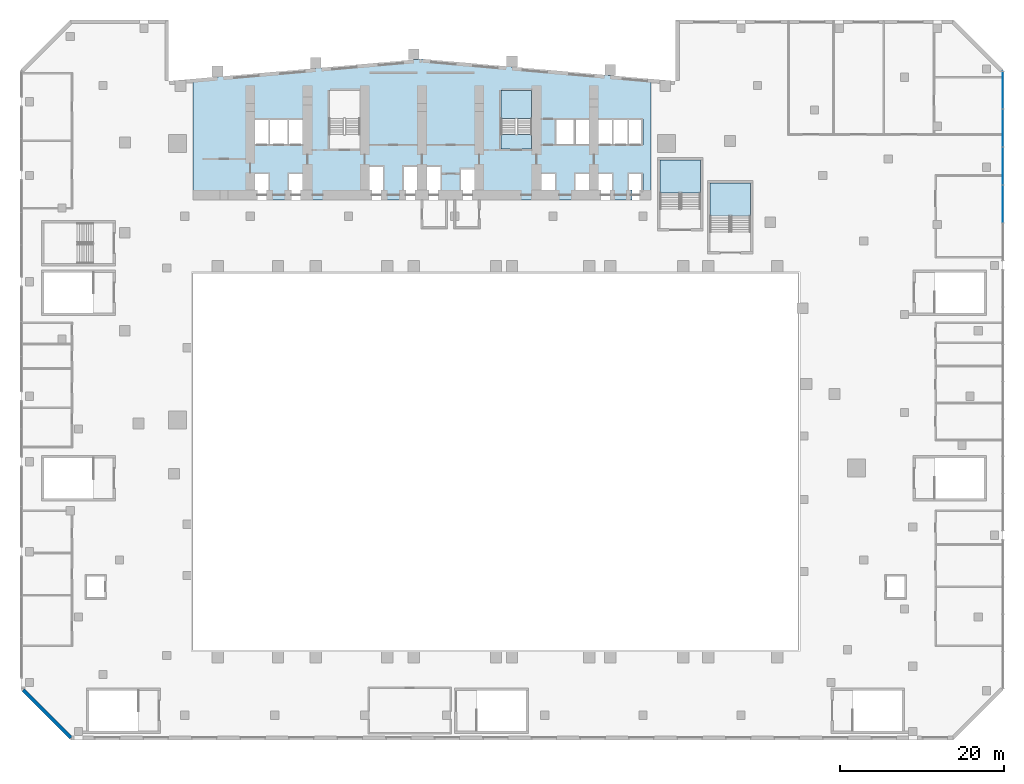
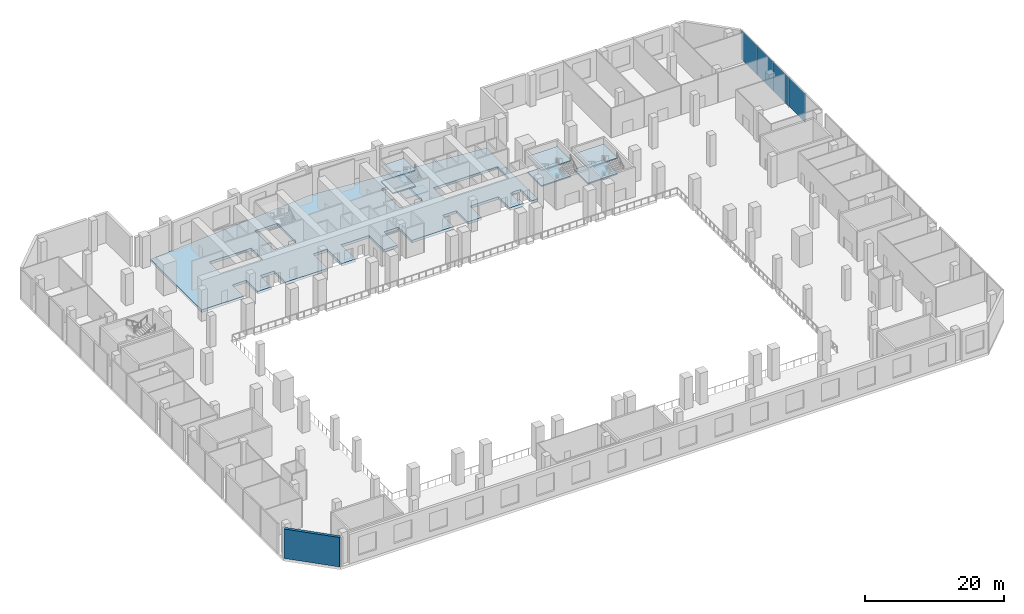
# One storey, part 9 of 25: 8 slabs, 4 plates, 1 wall, 4 elements without a shape of their own.
"""IFC4 building model written with IfcOpenShell, lengths in metres."""

from ifc_helpers import new_model, si_unit, direction, frame, frame_2d, origin, origin_2d, place, context, subcontext, project, spatial, polyline, rectangle, outline, extrude, material, layer, layer_set, type_object, element, aggregate, save


model = new_model("IFC4")

# Units and contexts
model_context = context("Model", 3, precision=1e-05, world=origin(), true_north=direction((0.0, 1.0)))
body_context = subcontext(model_context, "Body", "Model", "MODEL_VIEW")
ifc_project = project(units=[si_unit("LENGTHUNIT", "METRE"), si_unit("AREAUNIT", "SQUARE_METRE"), si_unit("VOLUMEUNIT", "CUBIC_METRE"), si_unit("PLANEANGLEUNIT", "RADIAN"), si_unit("MASSUNIT", "GRAM", prefix="KILO")], contexts=[model_context])

# Site, building, storey
site_placement = place(None, origin())
site = spatial("IfcSite", under=ifc_project, at=site_placement, CompositionType="ELEMENT")
building_placement = place(site_placement, origin())
building = spatial("IfcBuilding", under=site, at=building_placement, Name="Wharfspan Tower", CompositionType="ELEMENT")
storey_placement = place(building_placement, frame((0.0, 0.0, 27.5)))
storey = spatial("IfcBuildingStorey", under=building, at=storey_placement, Name="L04", CompositionType="ELEMENT", Elevation=27.5)

# Curtain wall, plates
ifc_material_1 = material(Name="Aluminium 6063-T6", Category="aluminium")
curtain_wall_type = type_object("IfcCurtainWallType", Name="CURTAIN WALL ARENA STICK WALL", PredefinedType="NOTDEFINED", material=ifc_material_1)
curtain_wall_placement = place(storey_placement, origin())
curtain_wall = element("IfcCurtainWall", 1, at=curtain_wall_placement, inside=storey, type_object=curtain_wall_type, Name="Concourse stick wall PF3.3", PredefinedType="NOTDEFINED")
ifc_material_2 = material(Name="Glass clear laminated double glazing", Category="glass")
ifc_layer_1 = layer(ifc_material_2, 0.040039)
ifc_layer_set_1 = layer_set([ifc_layer_1], Name="Glass clear laminated double glazing")
plate_type = type_object("IfcPlateType", Name="GLASS PANEL ARENA STICK WALL 40", PredefinedType="CURTAIN_PANEL", material=ifc_layer_set_1)
plate_1_placement = place(storey_placement, frame((108.0, 33.51001, 0.0), z_axis=(0.0, 0.0, 1.0), x_axis=(0.0, 1.0, 0.0)))
plate_1 = element("IfcPlate", 2, at=plate_1_placement, type_object=plate_type, Name="Concourse stick wall PF3.3 panel 2", PredefinedType="CURTAIN_PANEL", context=body_context, shape_type="SweptSolid", body=[
    extrude(rectangle(XDim=4.570068, YDim=0.040039, at=origin_2d()), origin(), (0.0, 0.0, 1.0), 5.110107),
])
plate_2_placement = place(storey_placement, frame((108.0, 38.149902, 0.0), z_axis=(0.0, 0.0, 1.0), x_axis=(0.0, 1.0, 0.0)))
plate_2 = element("IfcPlate", 3, at=plate_2_placement, type_object=plate_type, Name="Concourse stick wall PF3.3 panel 3", PredefinedType="CURTAIN_PANEL", context=body_context, shape_type="SweptSolid", body=[
    extrude(rectangle(XDim=4.570068, YDim=0.040039, at=origin_2d()), origin(), (0.0, 0.0, 1.0), 5.110107),
])
plate_3_placement = place(storey_placement, frame((108.0, 42.790039, 0.0), z_axis=(0.0, 0.0, 1.0), x_axis=(0.0, 1.0, 0.0)))
plate_3 = element("IfcPlate", 4, at=plate_3_placement, type_object=plate_type, Name="Concourse stick wall PF3.3 panel 4", PredefinedType="CURTAIN_PANEL", context=body_context, shape_type="SweptSolid", body=[
    extrude(rectangle(XDim=4.570068, YDim=0.040039, at=origin_2d()), origin(), (0.0, 0.0, 1.0), 5.110107),
])
plate_4_placement = place(storey_placement, frame((108.0, 47.412598, 0.0), z_axis=(0.0, 0.0, 1.0), x_axis=(0.0, 1.0, 0.0)))
plate_4 = element("IfcPlate", 5, at=plate_4_placement, type_object=plate_type, Name="Concourse stick wall PF3.3 panel 5", PredefinedType="CURTAIN_PANEL", context=body_context, shape_type="SweptSolid", body=[
    extrude(rectangle(XDim=4.534912, YDim=0.040039, at=origin_2d()), origin(), (0.0, 0.0, 1.0), 5.110107),
])
aggregate(curtain_wall, [plate_1, plate_2, plate_3, plate_4])

# Slab
ifc_material_3 = material(Name="Concrete C35/45", Category="concrete")
ifc_layer_2 = layer(ifc_material_3, 0.449951)
ifc_layer_set_2 = layer_set([ifc_layer_2], Name="Concrete C35/45")
slab_type_1 = type_object("IfcSlabType", Name="Podium deck 450", PredefinedType="FLOOR", material=ifc_layer_set_2)
slab_1_placement = place(storey_placement, frame((0.0, 0.0, -0.450195)))
element("IfcSlab", 6, at=slab_1_placement, inside=storey, type_object=slab_type_1, Name="Core floor L04", PredefinedType="FLOOR", context=body_context, shape_type="SweptSolid", body=[
    extrude(outline(polyline([(65.0, 48.787354), (65.0, 34.0), (64.01001, 34.0), (64.01001, 37.26001), (62.656738, 37.26001), (62.656738, 37.159912), (62.290039, 37.159912), (62.290039, 35.189941), (62.656738, 35.189941), (62.656738, 34.0), (60.343262, 34.0), (60.343262, 37.26001), (55.656738, 37.26001), (55.656738, 34.0), (53.343262, 34.0), (53.343262, 37.26001), (50.98999, 37.26001), (50.98999, 34.0), (44.01001, 34.0), (44.01001, 37.860107), (41.656738, 37.860107), (41.656738, 34.0), (39.343262, 34.0), (39.343262, 38.159912), (34.656738, 38.159912), (34.656738, 34.0), (32.343262, 34.0), (32.343262, 38.159912), (29.98999, 38.159912), (29.98999, 34.0), (23.01001, 34.0), (23.01001, 37.26001), (20.656738, 37.26001), (20.656738, 34.0), (18.343262, 34.0), (18.343262, 37.26001), (15.98999, 37.26001), (15.98999, 34.0), (9.0, 34.0), (9.0, 48.787354), (37.0, 51.237061), (65.0, 48.787354)]), holes=[polyline([(53.323242, 43.909912), (53.323242, 40.689941), (64.01001, 40.689941), (64.01001, 43.909912), (53.323242, 43.909912)]), polyline([(50.409912, 41.98999), (50.409912, 47.409912), (46.639893, 47.409912), (46.639893, 41.98999), (50.409912, 41.98999)]), polyline([(29.409912, 41.98999), (29.409912, 47.409912), (25.639893, 47.409912), (25.639893, 41.98999), (29.409912, 41.98999)]), polyline([(20.676758, 40.689941), (23.01001, 40.689941), (23.01001, 43.909912), (20.676758, 43.909912), (20.656738, 43.909912), (15.98999, 43.909912), (15.98999, 40.689941), (20.656738, 40.689941), (20.676758, 40.689941)])]), origin(), (0.0, 0.0, 1.0), 0.450195),
])

# Stair, slabs
ifc_material_4 = material(Name="Concrete C40/50", Category="concrete")
stair_type_1 = type_object("IfcStairType", Name="Half-turn stair 2400 wide 32 risers 172 mm", PredefinedType="HALF_TURN_STAIR", material=ifc_material_4)
stair_1_placement = place(storey_placement, origin())
stair_1 = element("IfcStair", 7, at=stair_1_placement, inside=storey, type_object=stair_type_1, Name="L04 stair PS4", PredefinedType="HALF_TURN_STAIR")
ifc_layer_3 = layer(ifc_material_4, 0.199951)
ifc_layer_set_3 = layer_set([ifc_layer_3], Name="Concrete C40/50")
slab_type_2 = type_object("IfcSlabType", Name="Podium stair landing 200", PredefinedType="LANDING", material=ifc_layer_set_3)
slab_2_placement = place(storey_placement, frame((0.0, 0.0, 1.174805)))
slab_2 = element("IfcSlab", 8, at=slab_2_placement, type_object=slab_type_2, Name="PS4 landing 1", PredefinedType="LANDING", context=body_context, shape_type="SweptSolid", body=[
    extrude(outline(polyline([(71.050049, 34.860107), (71.050049, 38.899902), (66.100098, 38.899902), (66.100098, 34.860107), (71.050049, 34.860107)])), origin(), (0.0, 0.0, 1.0), 0.200195),
])
slab_3_placement = place(storey_placement, frame((0.0, 0.0, 3.924805)))
slab_3 = element("IfcSlab", 9, at=slab_3_placement, type_object=slab_type_2, Name="PS4 landing 3", PredefinedType="LANDING", context=body_context, shape_type="SweptSolid", body=[
    extrude(outline(polyline([(71.050049, 34.860107), (71.050049, 38.899902), (66.100098, 38.899902), (66.100098, 34.860107), (71.050049, 34.860107)])), origin(), (0.0, 0.0, 1.0), 0.200195),
])
aggregate(stair_1, [slab_2, slab_3])

stair_2_placement = place(storey_placement, origin())
stair_2 = element("IfcStair", 10, at=stair_2_placement, inside=storey, type_object=stair_type_1, Name="L04 stair PS5", PredefinedType="HALF_TURN_STAIR")
slab_4_placement = place(storey_placement, frame((0.0, 0.0, 1.174805)))
slab_4 = element("IfcSlab", 11, at=slab_4_placement, type_object=slab_type_2, Name="PS5 landing 1", PredefinedType="LANDING", context=body_context, shape_type="SweptSolid", body=[
    extrude(outline(polyline([(77.16748, 32.060059), (77.16748, 36.100098), (72.217529, 36.100098), (72.217529, 32.060059), (77.16748, 32.060059)])), origin(), (0.0, 0.0, 1.0), 0.200195),
])
slab_5_placement = place(storey_placement, frame((0.0, 0.0, 3.924805)))
slab_5 = element("IfcSlab", 12, at=slab_5_placement, type_object=slab_type_2, Name="PS5 landing 3", PredefinedType="LANDING", context=body_context, shape_type="SweptSolid", body=[
    extrude(outline(polyline([(77.16748, 32.060059), (77.16748, 36.100098), (72.217529, 36.100098), (72.217529, 32.060059), (77.16748, 32.060059)])), origin(), (0.0, 0.0, 1.0), 0.200195),
])
aggregate(stair_2, [slab_4, slab_5])

stair_type_2 = type_object("IfcStairType", Name="Half-turn stair 32 risers 172 mm", PredefinedType="HALF_TURN_STAIR", material=ifc_material_4)
stair_3_placement = place(storey_placement, origin())
stair_3 = element("IfcStair", 13, at=stair_3_placement, inside=storey, type_object=stair_type_2, Name="L04 stair ST2", PredefinedType="HALF_TURN_STAIR")
ifc_layer_4 = layer(ifc_material_4, 0.199951)
ifc_layer_set_4 = layer_set([ifc_layer_4], Name="Concrete C40/50")
slab_type_3 = type_object("IfcSlabType", Name="Stair landing 200", PredefinedType="LANDING", material=ifc_layer_set_4)
slab_6_placement = place(storey_placement, frame((0.0, 0.0, 1.174805)))
slab_6 = element("IfcSlab", 14, at=slab_6_placement, type_object=slab_type_3, Name="ST2 landing 1", PredefinedType="LANDING", context=body_context, shape_type="SweptSolid", body=[
    extrude(outline(polyline([(50.399902, 43.959961), (50.399902, 47.399902), (46.649902, 47.399902), (46.649902, 43.959961), (50.399902, 43.959961)])), origin(), (0.0, 0.0, 1.0), 0.200195),
])
slab_7_placement = place(storey_placement, frame((0.0, 0.0, 2.549805)))
slab_7 = element("IfcSlab", 15, at=slab_7_placement, type_object=slab_type_3, Name="ST2 landing 2", PredefinedType="LANDING", context=body_context, shape_type="SweptSolid", body=[
    extrude(outline(polyline([(50.399902, 40.199951), (50.399902, 42.0), (46.649902, 42.0), (46.649902, 40.199951), (50.399902, 40.199951)])), origin(), (0.0, 0.0, 1.0), 0.200195),
])
slab_8_placement = place(storey_placement, frame((0.0, 0.0, 3.924805)))
slab_8 = element("IfcSlab", 16, at=slab_8_placement, type_object=slab_type_3, Name="ST2 landing 3", PredefinedType="LANDING", context=body_context, shape_type="SweptSolid", body=[
    extrude(outline(polyline([(50.399902, 43.959961), (50.399902, 47.399902), (46.649902, 47.399902), (46.649902, 43.959961), (50.399902, 43.959961)])), origin(), (0.0, 0.0, 1.0), 0.200195),
])
aggregate(stair_3, [slab_6, slab_7, slab_8])

# Wall
ifc_layer_5 = layer(ifc_material_4, 0.449951)
ifc_layer_set_5 = layer_set([ifc_layer_5], Name="Concrete C40/50")
wall_type = type_object("IfcWallType", Name="WALL BOARD-MARKED CONCRETE 450", PredefinedType="SOLIDWALL", material=ifc_layer_set_5)
wall_placement = place(storey_placement, frame((-11.770264, -25.911621, 0.0), z_axis=(0.0, 0.0, 1.0), x_axis=(0.707107, -0.707107, 0.0)))
element("IfcWall", 17, at=wall_placement, inside=storey, type_object=wall_type, Name="Podium wall PF13", PredefinedType="SOLIDWALL", context=body_context, shape_type="SweptSolid", body=[
    extrude(rectangle(XDim=8.2854, YDim=0.449951, at=frame_2d((4.142578, 0.0))), origin(), (0.0, 0.0, 1.0), 5.199951),
])

save(model, "model.ifc")
